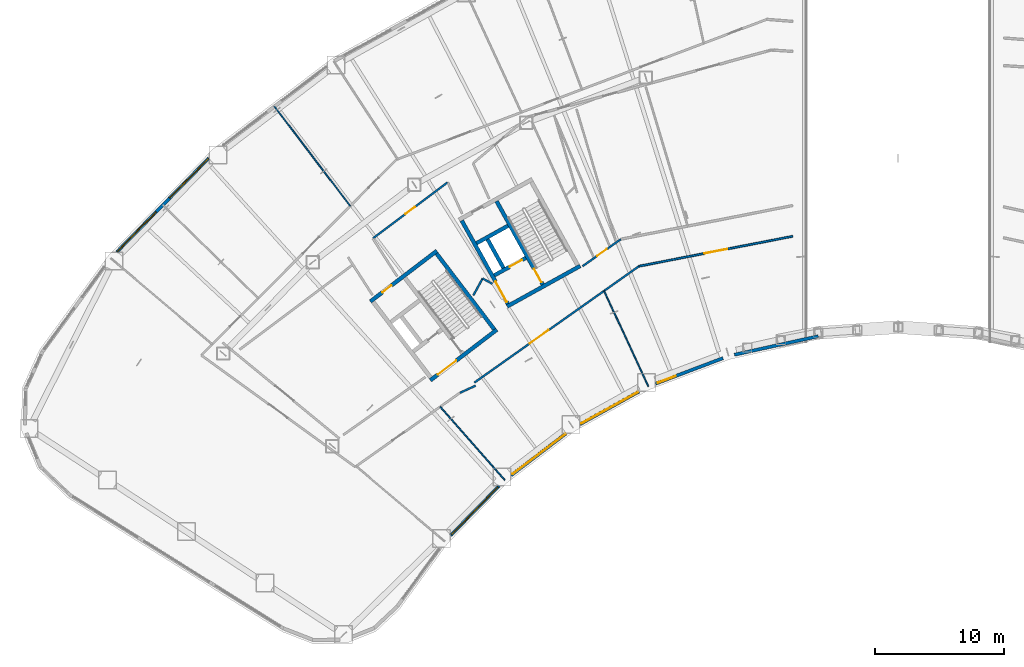
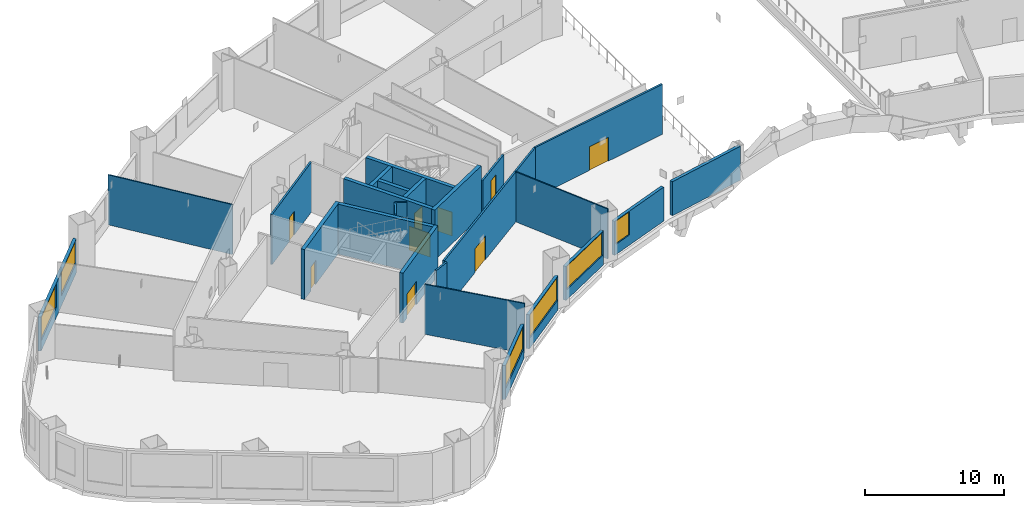
# One storey, part 7 of 24: 25 walls, 9 doors, 6 windows, 15 openings.
"""IFC4 building model written with IfcOpenShell, lengths in metres."""

from ifc_helpers import new_model, si_unit, direction, frame, frame_2d, origin, place, context, subcontext, project, spatial, rectangle, extrude, material, layer, layer_set, type_object, element, fill, save


model = new_model("IFC4")

# Units and contexts
model_context = context("Model", 3, precision=1e-05, world=origin(), true_north=direction((0.0, 1.0)))
body_context = subcontext(model_context, "Body", "Model", "MODEL_VIEW")
ifc_project = project(units=[si_unit("LENGTHUNIT", "METRE"), si_unit("AREAUNIT", "SQUARE_METRE"), si_unit("VOLUMEUNIT", "CUBIC_METRE"), si_unit("PLANEANGLEUNIT", "RADIAN"), si_unit("MASSUNIT", "GRAM", prefix="KILO")], contexts=[model_context])

# Site, building, storey
site_placement = place(None, origin())
site = spatial("IfcSite", under=ifc_project, at=site_placement, CompositionType="ELEMENT")
building_placement = place(site_placement, origin())
building = spatial("IfcBuilding", under=site, at=building_placement, Name="Tuul Gate Civic Tower", CompositionType="ELEMENT")
storey_placement = place(building_placement, frame((0.0, 0.0, 21.89990234375)))
storey = spatial("IfcBuildingStorey", under=building, at=storey_placement, Name="Level 04", CompositionType="ELEMENT", Elevation=21.89990234375)

# Wall, opening, door
ifc_material_1 = material(Name="Concrete C50/60", Category="concrete")
ifc_layer_1 = layer(ifc_material_1, 0.300048828125)
ifc_layer_set_1 = layer_set([ifc_layer_1], Name="Concrete C50/60")
wall_type_1 = type_object("IfcWallType", Name="Core wall C50/60", PredefinedType="SHEAR", material=ifc_layer_set_1)
wall_1_placement = place(storey_placement, frame((-31.19091796875, -13.669677734375, 0.0), z_axis=(0.0, 0.0, 1.0), x_axis=(-0.795606717756, -0.605813461934, 0.0)))
wall_1 = element("IfcWall", 1, at=wall_1_placement, inside=storey, type_object=wall_type_1, Name="Core wall", PredefinedType="SHEAR", context=body_context, shape_type="SweptSolid", body=[
    extrude(rectangle(XDim=6.5, YDim=0.300048828125, at=frame_2d((3.25, 0.0))), origin(), (0.0, 0.0, 1.0), 4.400146484375),
])
opening_1_placement = place(wall_1_placement, frame((3.97509765625, 0.0, 0.0)))
opening_1 = element("IfcOpeningElement", 2, at=opening_1_placement, cuts=wall_1, Name="Opening LB-W1-LOBBY-1", PredefinedType="OPENING", context=body_context, shape_type="SweptSolid", body=[
    extrude(rectangle(XDim=1.800048828125, YDim=2.10009765625, at=frame_2d((0.89990234375, 1.050048828125))), frame((0.0, 0.16015625, 0.0), z_axis=(0.0, -1.0, 0.0), x_axis=(1.0, 0.0, 0.0)), (0.0, 0.0, 1.0), 0.320068359375),
])
ifc_material_2 = material(Name="Steel", Category="steel")
door_type_1 = type_object("IfcDoorType", Name="Lobby door", OperationType="DOUBLE_DOOR_SINGLE_SWING", PredefinedType="DOOR", material=ifc_material_2)
door_1_placement = place(opening_1_placement, origin())
door_1 = element("IfcDoor", 3, at=door_1_placement, inside=storey, type_object=door_type_1, Name="Lobby door W1-LOBBY", OperationType="DOUBLE_DOOR_SINGLE_SWING", OverallHeight=2.10009765625, OverallWidth=1.800048828125, PredefinedType="DOOR", context=body_context, shape_type="SweptSolid", body=[
    extrude(rectangle(XDim=1.800048828125, YDim=2.10009765625, at=frame_2d((0.89990234375, 1.050048828125))), frame((0.0, 0.02490234375, 0.0), z_axis=(0.0, -1.0, 0.0), x_axis=(1.0, 0.0, 0.0)), (0.0, 0.0, 1.0), 0.050048828125),
])
fill(opening_1, door_1)

wall_2_placement = place(storey_placement, frame((-35.855224609375, -7.543212890625, 0.0), z_axis=(0.0, 0.0, 1.0), x_axis=(-0.79563860527, -0.605771582202, 0.0)))
wall_2 = element("IfcWall", 4, at=wall_2_placement, inside=storey, type_object=wall_type_1, Name="Core wall", PredefinedType="SHEAR", context=body_context, shape_type="SweptSolid", body=[
    extrude(rectangle(XDim=6.5, YDim=0.300048828125, at=frame_2d((3.25, 0.0))), origin(), (0.0, 0.0, 1.0), 4.400146484375),
])
opening_2_placement = place(wall_2_placement, frame((4.425048828125, 0.0, 0.0)))
opening_2 = element("IfcOpeningElement", 5, at=opening_2_placement, cuts=wall_2, Name="Opening QD-D36", PredefinedType="OPENING", context=body_context, shape_type="SweptSolid", body=[
    extrude(rectangle(XDim=0.89990234375, YDim=2.10009765625, at=frame_2d((0.449951171875, 1.050048828125))), frame((0.0, 0.16015625, 0.0), z_axis=(0.0, -1.0, 0.0), x_axis=(1.0, 0.0, 0.0)), (0.0, 0.0, 1.0), 0.320068359375),
])
ifc_material_3 = material(Name="Timber door leaf", Category="wood")
door_type_2 = type_object("IfcDoorType", Name="Door D09", OperationType="NOTDEFINED", PredefinedType="DOOR", material=ifc_material_3)
door_2_placement = place(opening_2_placement, origin())
door_2 = element("IfcDoor", 6, at=door_2_placement, inside=storey, type_object=door_type_2, Name="Door QD-D36", OperationType="SINGLE_SWING_LEFT", OverallHeight=2.10009765625, OverallWidth=0.89990234375, PredefinedType="DOOR", context=body_context, shape_type="SweptSolid", body=[
    extrude(rectangle(XDim=0.89990234375, YDim=2.10009765625, at=frame_2d((0.449951171875, 1.050048828125))), frame((0.0, 0.02490234375, 0.0), z_axis=(0.0, -1.0, 0.0), x_axis=(1.0, 0.0, 0.0)), (0.0, 0.0, 1.0), 0.050048828125),
])
fill(opening_2, door_2)

# Walls
wall_3_placement = place(storey_placement, frame((-31.401123046875, -13.64111328125, 0.0), z_axis=(0.0, 0.0, 1.0), x_axis=(-0.605769822278, 0.795639945213, 0.0)))
element("IfcWall", 7, at=wall_3_placement, inside=storey, type_object=wall_type_1, Name="Core wall", PredefinedType="SHEAR", context=body_context, shape_type="SweptSolid", body=[
    extrude(rectangle(XDim=7.39990234375, YDim=0.300048828125, at=frame_2d((3.699951171875, 0.0))), origin(), (0.0, 0.0, 1.0), 4.400146484375),
])
wall_4_placement = place(storey_placement, frame((-24.711669921875, -8.7158203125, 0.0), z_axis=(0.0, 0.0, 1.0), x_axis=(-0.874629909008, -0.484791215132, 0.0)))
element("IfcWall", 8, at=wall_4_placement, inside=storey, type_object=wall_type_1, Name="Core wall", PredefinedType="SHEAR", context=body_context, shape_type="SweptSolid", body=[
    extrude(rectangle(XDim=6.5, YDim=0.300048828125, at=frame_2d((3.25, 0.0))), origin(), (0.0, 0.0, 1.0), 4.400146484375),
])

# Wall, opening, door
wall_5_placement = place(storey_placement, frame((-28.94580078125, -8.090087890625, 0.0), z_axis=(0.0, 0.0, 1.0), x_axis=(-0.874629840737, -0.484791338301, 0.0)))
wall_5 = element("IfcWall", 9, at=wall_5_placement, inside=storey, type_object=wall_type_1, Name="Core wall", PredefinedType="SHEAR", context=body_context, shape_type="SweptSolid", body=[
    extrude(rectangle(XDim=2.800048828125, YDim=0.300048828125, at=frame_2d((1.39990234375, 0.0))), origin(), (0.0, 0.0, 1.0), 4.400146484375),
])
opening_3_placement = place(wall_5_placement, frame((0.324951171875, 0.0, 0.0)))
opening_3 = element("IfcOpeningElement", 10, at=opening_3_placement, cuts=wall_5, Name="Opening LD-FF-1", PredefinedType="OPENING", context=body_context, shape_type="SweptSolid", body=[
    extrude(rectangle(XDim=1.10009765625, YDim=2.10009765625, at=frame_2d((0.550048828125, 1.050048828125))), frame((0.0, 0.16015625, 0.0), z_axis=(0.0, -1.0, 0.0), x_axis=(1.0, 0.0, 0.0)), (0.0, 0.0, 1.0), 0.320068359375),
])
ifc_material_4 = material(Name="Stainless steel", Category="steel")
door_type_3 = type_object("IfcDoorType", Name="Landing door", OperationType="DOUBLE_DOOR_SLIDING", PredefinedType="DOOR", material=ifc_material_4)
door_3_placement = place(opening_3_placement, origin())
door_3 = element("IfcDoor", 11, at=door_3_placement, inside=storey, type_object=door_type_3, Name="Fire-fighting lift FF-1 landing door", OperationType="DOUBLE_DOOR_SLIDING", OverallHeight=2.10009765625, OverallWidth=1.10009765625, PredefinedType="DOOR", context=body_context, shape_type="SweptSolid", body=[
    extrude(rectangle(XDim=1.10009765625, YDim=2.10009765625, at=frame_2d((0.550048828125, 1.050048828125))), frame((0.0, 0.02490234375, 0.0), z_axis=(0.0, -1.0, 0.0), x_axis=(1.0, 0.0, 0.0)), (0.0, 0.0, 1.0), 0.050048828125),
])
fill(opening_3, door_3)

# Wall
wall_6_placement = place(storey_placement, frame((-30.327392578125, -5.59716796875, 0.0), z_axis=(0.0, 0.0, 1.0), x_axis=(-0.874629840737, -0.484791338301, 0.0)))
element("IfcWall", 12, at=wall_6_placement, inside=storey, type_object=wall_type_1, Name="Core wall", PredefinedType="SHEAR", context=body_context, shape_type="SweptSolid", body=[
    extrude(rectangle(XDim=2.800048828125, YDim=0.300048828125, at=frame_2d((1.39990234375, 0.0))), origin(), (0.0, 0.0, 1.0), 4.400146484375),
])

# Wall, opening, door
wall_7_placement = place(storey_placement, frame((-27.626953125, -10.16015625, 0.0), z_axis=(0.0, 0.0, 1.0), x_axis=(-0.484751894226, 0.874651702704, 0.0)))
wall_7 = element("IfcWall", 13, at=wall_7_placement, inside=storey, type_object=wall_type_1, Name="Core wall", PredefinedType="SHEAR", context=body_context, shape_type="SweptSolid", body=[
    extrude(rectangle(XDim=7.39990234375, YDim=0.300048828125, at=frame_2d((3.699951171875, 0.0))), origin(), (0.0, 0.0, 1.0), 4.400146484375),
])
opening_4_placement = place(wall_7_placement, frame((0.199951171875, 0.0, 0.0)))
opening_4 = element("IfcOpeningElement", 14, at=opening_4_placement, cuts=wall_7, Name="Opening SD-ST-2", PredefinedType="OPENING", context=body_context, shape_type="SweptSolid", body=[
    extrude(rectangle(XDim=1.199951171875, YDim=2.10009765625, at=frame_2d((0.60009765625, 1.050048828125))), frame((0.0, 0.16015625, 0.0), z_axis=(0.0, -1.0, 0.0), x_axis=(1.0, 0.0, 0.0)), (0.0, 0.0, 1.0), 0.320068359375),
])
ifc_material_5 = material(Name="Steel", Category="steel")
door_type_4 = type_object("IfcDoorType", Name="Stair door", OperationType="NOTDEFINED", PredefinedType="DOOR", material=ifc_material_5)
door_4_placement = place(opening_4_placement, origin())
door_4 = element("IfcDoor", 15, at=door_4_placement, inside=storey, type_object=door_type_4, Name="Stair door ST-2", OperationType="SINGLE_SWING_LEFT", OverallHeight=2.10009765625, OverallWidth=1.199951171875, PredefinedType="DOOR", context=body_context, shape_type="SweptSolid", body=[
    extrude(rectangle(XDim=1.199951171875, YDim=2.10009765625, at=frame_2d((0.60009765625, 1.050048828125))), frame((0.0, 0.02490234375, 0.0), z_axis=(0.0, -1.0, 0.0), x_axis=(1.0, 0.0, 0.0)), (0.0, 0.0, 1.0), 0.050048828125),
])
fill(opening_4, door_4)

# Wall
wall_8_placement = place(storey_placement, frame((-30.680419921875, -8.8798828125, 0.0), z_axis=(0.0, 0.0, 1.0), x_axis=(-0.484724115216, 0.874667097888, 0.0)))
element("IfcWall", 16, at=wall_8_placement, inside=storey, type_object=wall_type_1, Name="Core wall", PredefinedType="SHEAR", context=body_context, shape_type="SweptSolid", body=[
    extrude(rectangle(XDim=2.550048828125, YDim=0.300048828125, at=frame_2d((1.27490234375, 0.0))), origin(), (0.0, 0.0, 1.0), 4.400146484375),
])

# Wall, opening, door
wall_9_placement = place(storey_placement, frame((-30.33837890625, -11.6630859375, 0.0), z_axis=(0.0, 0.0, 1.0), x_axis=(-0.484751894226, 0.874651702704, 0.0)))
wall_9 = element("IfcWall", 17, at=wall_9_placement, inside=storey, type_object=wall_type_1, Name="Core wall", PredefinedType="SHEAR", context=body_context, shape_type="SweptSolid", body=[
    extrude(rectangle(XDim=7.39990234375, YDim=0.300048828125, at=frame_2d((3.699951171875, 0.0))), origin(), (0.0, 0.0, 1.0), 4.400146484375),
])
opening_5_placement = place(wall_9_placement, frame((0.175048828125, 0.0, 0.0)))
opening_5 = element("IfcOpeningElement", 18, at=opening_5_placement, cuts=wall_9, Name="Opening LB-W2-FLOBBY-1", PredefinedType="OPENING", context=body_context, shape_type="SweptSolid", body=[
    extrude(rectangle(XDim=1.800048828125, YDim=2.10009765625, at=frame_2d((0.89990234375, 1.050048828125))), frame((0.0, 0.16015625, 0.0), z_axis=(0.0, -1.0, 0.0), x_axis=(1.0, 0.0, 0.0)), (0.0, 0.0, 1.0), 0.320068359375),
])
door_5_placement = place(opening_5_placement, frame((1.800048828125, 0.0, 0.0), z_axis=(0.0, 0.0, 1.0), x_axis=(-1.0, 0.0, 0.0)))
door_5 = element("IfcDoor", 19, at=door_5_placement, inside=storey, type_object=door_type_1, Name="Lobby door W2-FLOBBY", OperationType="DOUBLE_DOOR_SINGLE_SWING", OverallHeight=2.10009765625, OverallWidth=1.800048828125, PredefinedType="DOOR", context=body_context, shape_type="SweptSolid", body=[
    extrude(rectangle(XDim=1.800048828125, YDim=2.10009765625, at=frame_2d((0.900146484375, 1.050048828125))), frame((0.0, 0.02490234375, 0.0), z_axis=(0.0, -1.0, 0.0), x_axis=(1.0, 0.0, 0.0)), (0.0, 0.0, 1.0), 0.050048828125),
])
fill(opening_5, door_5)

ifc_material_6 = material(Name="Gypsum board partition")
ifc_layer_2 = layer(ifc_material_6, 0.14990234375)
ifc_layer_set_2 = layer_set([ifc_layer_2], Name="Gypsum board partition")
wall_type_2 = type_object("IfcWallType", Name="Corridor wall P150", PredefinedType="PARTITIONING", material=ifc_layer_set_2)
wall_10_placement = place(storey_placement, frame((-32.945556640625, -17.7880859375, 0.0), z_axis=(0.0, 0.0, 1.0), x_axis=(0.816468317597, 0.5773902375, 0.0)))
wall_10 = element("IfcWall", 20, at=wall_10_placement, inside=storey, type_object=wall_type_2, Name="p029", PredefinedType="PARTITIONING", context=body_context, shape_type="SweptSolid", body=[
    extrude(rectangle(XDim=15.6669921875, YDim=0.14990234375, at=frame_2d((7.83349609375, 0.0))), origin(), (0.0, 0.0, 1.0), 4.400146484375),
])
opening_6_placement = place(wall_10_placement, frame((5.2763671875, 0.0, 0.0)))
opening_6 = element("IfcOpeningElement", 21, at=opening_6_placement, cuts=wall_10, Name="Opening QD-D19", PredefinedType="OPENING", context=body_context, shape_type="SweptSolid", body=[
    extrude(rectangle(XDim=1.800048828125, YDim=2.10009765625, at=frame_2d((0.89990234375, 1.050048828125))), frame((0.0, 0.0849609375, 0.0), z_axis=(0.0, -1.0, 0.0), x_axis=(1.0, 0.0, 0.0)), (0.0, 0.0, 1.0), 0.169921875),
])
ifc_material_7 = material(Name="Timber door leaf, double", Category="wood")
door_type_5 = type_object("IfcDoorType", Name="Door D18", OperationType="DOUBLE_DOOR_SINGLE_SWING", PredefinedType="DOOR", material=ifc_material_7)
door_6_placement = place(opening_6_placement, frame((1.800048828125, 0.0, 0.0), z_axis=(0.0, 0.0, 1.0), x_axis=(-1.0, 0.0, 0.0)))
door_6 = element("IfcDoor", 22, at=door_6_placement, inside=storey, type_object=door_type_5, Name="Door QD-D19", OperationType="DOUBLE_DOOR_SINGLE_SWING", OverallHeight=2.10009765625, OverallWidth=1.800048828125, PredefinedType="DOOR", context=body_context, shape_type="SweptSolid", body=[
    extrude(rectangle(XDim=1.800048828125, YDim=2.10009765625, at=frame_2d((0.900146484375, 1.050048828125))), frame((0.0, 0.02490234375, 0.0), z_axis=(0.0, -1.0, 0.0), x_axis=(1.0, 0.0, 0.0)), (0.0, 0.0, 1.0), 0.050048828125),
])
fill(opening_6, door_6)

wall_11_placement = place(storey_placement, frame((-20.1474609375, -8.73828125, 0.0), z_axis=(0.0, 0.0, 1.0), x_axis=(0.981557199544, 0.191168679503, 0.0)))
wall_11 = element("IfcWall", 23, at=wall_11_placement, inside=storey, type_object=wall_type_2, Name="p035", PredefinedType="PARTITIONING", context=body_context, shape_type="SweptSolid", body=[
    extrude(rectangle(XDim=12.171875, YDim=0.14990234375, at=frame_2d((6.0859375, 0.0))), origin(), (0.0, 0.0, 1.0), 4.400146484375),
])
opening_7_placement = place(wall_11_placement, frame((5.18603515625, 0.0, 0.0)))
opening_7 = element("IfcOpeningElement", 24, at=opening_7_placement, cuts=wall_11, Name="Opening QD-D18", PredefinedType="OPENING", context=body_context, shape_type="SweptSolid", body=[
    extrude(rectangle(XDim=1.800048828125, YDim=2.10009765625, at=frame_2d((0.89990234375, 1.050048828125))), frame((0.0, 0.0849609375, 0.0), z_axis=(0.0, -1.0, 0.0), x_axis=(1.0, 0.0, 0.0)), (0.0, 0.0, 1.0), 0.169921875),
])
door_7_placement = place(opening_7_placement, frame((1.800048828125, 0.0, 0.0), z_axis=(0.0, 0.0, 1.0), x_axis=(-1.0, 0.0, 0.0)))
door_7 = element("IfcDoor", 25, at=door_7_placement, inside=storey, type_object=door_type_5, Name="Door QD-D18", OperationType="DOUBLE_DOOR_SINGLE_SWING", OverallHeight=2.10009765625, OverallWidth=1.800048828125, PredefinedType="DOOR", context=body_context, shape_type="SweptSolid", body=[
    extrude(rectangle(XDim=1.800048828125, YDim=2.10009765625, at=frame_2d((0.900146484375, 1.050048828125))), frame((0.0, 0.02490234375, 0.0), z_axis=(0.0, -1.0, 0.0), x_axis=(1.0, 0.0, 0.0)), (0.0, 0.0, 1.0), 0.050048828125),
])
fill(opening_7, door_7)

# Wall
wall_12_placement = place(storey_placement, frame((-34.0703125, -18.583251953125, 0.0), z_axis=(0.0, 0.0, 1.0), x_axis=(0.909476448179, 0.415755445193, 0.0)))
element("IfcWall", 26, at=wall_12_placement, inside=storey, type_object=wall_type_2, Name="p037", PredefinedType="PARTITIONING", context=body_context, shape_type="SweptSolid", body=[
    extrude(rectangle(XDim=1.337158203125, YDim=0.14990234375, at=frame_2d((0.66845703125, 0.0))), origin(), (0.0, 0.0, 1.0), 4.400146484375),
])

# Wall, opening, door
wall_13_placement = place(storey_placement, frame((-40.8251953125, -6.56982421875, 0.0), z_axis=(0.0, 0.0, 1.0), x_axis=(0.800101152006, 0.599865106968, 0.0)))
wall_13 = element("IfcWall", 27, at=wall_13_placement, inside=storey, type_object=wall_type_2, Name="p075", PredefinedType="PARTITIONING", context=body_context, shape_type="SweptSolid", body=[
    extrude(rectangle(XDim=7.239990234375, YDim=0.14990234375, at=frame_2d((3.6201171875, 0.0))), origin(), (0.0, 0.0, 1.0), 4.400146484375),
])
opening_8_placement = place(wall_13_placement, frame((3.169921875, 0.0, 0.0)))
opening_8 = element("IfcOpeningElement", 28, at=opening_8_placement, cuts=wall_13, Name="Opening QD-D32", PredefinedType="OPENING", context=body_context, shape_type="SweptSolid", body=[
    extrude(rectangle(XDim=0.89990234375, YDim=2.10009765625, at=frame_2d((0.449951171875, 1.050048828125))), frame((0.0, 0.0849609375, 0.0), z_axis=(0.0, -1.0, 0.0), x_axis=(1.0, 0.0, 0.0)), (0.0, 0.0, 1.0), 0.169921875),
])
door_8_placement = place(opening_8_placement, frame((0.89990234375, 0.0, 0.0), z_axis=(0.0, 0.0, 1.0), x_axis=(-1.0, 0.0, 0.0)))
door_8 = element("IfcDoor", 29, at=door_8_placement, inside=storey, type_object=door_type_2, Name="Door QD-D32", OperationType="SINGLE_SWING_LEFT", OverallHeight=2.10009765625, OverallWidth=0.89990234375, PredefinedType="DOOR", context=body_context, shape_type="SweptSolid", body=[
    extrude(rectangle(XDim=0.89990234375, YDim=2.10009765625, at=frame_2d((0.449951171875, 1.050048828125))), frame((0.0, 0.02490234375, 0.0), z_axis=(0.0, -1.0, 0.0), x_axis=(1.0, 0.0, 0.0)), (0.0, 0.0, 1.0), 0.050048828125),
])
fill(opening_8, door_8)

# Walls
wall_14_placement = place(storey_placement, frame((-32.302001953125, -9.69140625, 0.0), z_axis=(0.0, 0.0, 1.0), x_axis=(0.877235269307, -0.480060706873, 0.0)))
element("IfcWall", 30, at=wall_14_placement, inside=storey, type_object=wall_type_2, Name="p079", PredefinedType="PARTITIONING", context=body_context, shape_type="SweptSolid", body=[
    extrude(rectangle(XDim=0.863037109375, YDim=0.14990234375, at=frame_2d((0.431640625, 0.0))), origin(), (0.0, 0.0, 1.0), 4.400146484375),
])
wall_15_placement = place(storey_placement, frame((-33.025146484375, -11.011474609375, 0.0), z_axis=(0.0, 0.0, 1.0), x_axis=(0.480011415389, 0.877262241919, 0.0)))
element("IfcWall", 31, at=wall_15_placement, inside=storey, type_object=wall_type_2, Name="p080", PredefinedType="PARTITIONING", context=body_context, shape_type="SweptSolid", body=[
    extrude(rectangle(XDim=1.50439453125, YDim=0.14990234375, at=frame_2d((0.752197265625, 0.0))), origin(), (0.0, 0.0, 1.0), 4.400146484375),
])

# Wall, opening, door
ifc_material_8 = material(Name="Gypsum board partition")
ifc_layer_3 = layer(ifc_material_8, 0.14990234375)
ifc_layer_set_3 = layer_set([ifc_layer_3], Name="Gypsum board partition")
wall_type_3 = type_object("IfcWallType", Name="Corridor wall P150 3000 HIGH", PredefinedType="PARTITIONING", material=ifc_layer_set_3)
wall_16_placement = place(storey_placement, frame((-24.52880859375, -8.734619140625, 0.0), z_axis=(0.0, 0.0, 1.0), x_axis=(0.817328662758, 0.576171725299, 0.0)))
wall_16 = element("IfcWall", 32, at=wall_16_placement, inside=storey, type_object=wall_type_3, Name="p068", PredefinedType="PARTITIONING", context=body_context, shape_type="SweptSolid", body=[
    extrude(rectangle(XDim=3.636474609375, YDim=0.14990234375, at=frame_2d((1.818359375, 0.0))), origin(), (0.0, 0.0, 1.0), 3.0),
])
opening_9_placement = place(wall_16_placement, frame((1.393310546875, 0.0, 0.0)))
opening_9 = element("IfcOpeningElement", 33, at=opening_9_placement, cuts=wall_16, Name="Opening QD-D35", PredefinedType="OPENING", context=body_context, shape_type="SweptSolid", body=[
    extrude(rectangle(XDim=0.89990234375, YDim=2.10009765625, at=frame_2d((0.449951171875, 1.050048828125))), frame((0.0, 0.0849609375, 0.0), z_axis=(0.0, -1.0, 0.0), x_axis=(1.0, 0.0, 0.0)), (0.0, 0.0, 1.0), 0.169921875),
])
door_9_placement = place(opening_9_placement, origin())
door_9 = element("IfcDoor", 34, at=door_9_placement, inside=storey, type_object=door_type_2, Name="Door QD-D35", OperationType="SINGLE_SWING_LEFT", OverallHeight=2.10009765625, OverallWidth=0.89990234375, PredefinedType="DOOR", context=body_context, shape_type="SweptSolid", body=[
    extrude(rectangle(XDim=0.89990234375, YDim=2.10009765625, at=frame_2d((0.449951171875, 1.050048828125))), frame((0.0, 0.02490234375, 0.0), z_axis=(0.0, -1.0, 0.0), x_axis=(1.0, 0.0, 0.0)), (0.0, 0.0, 1.0), 0.050048828125),
])
fill(opening_9, door_9)

# Wall, openings, windows
ifc_material_9 = material(Name="Precast concrete C40/50", Category="concrete")
ifc_layer_4 = layer(ifc_material_9, 0.25)
ifc_layer_set_4 = layer_set([ifc_layer_4], Name="Precast concrete C40/50")
wall_type_4 = type_object("IfcWallType", Name="External wall 3000 HIGH", PredefinedType="STANDARD", material=ifc_layer_set_4)
wall_17_placement = place(storey_placement, frame((-53.577880859375, -0.33154296875, 0.0), z_axis=(0.0, 0.0, 1.0), x_axis=(-0.700010487511, -0.714132562886, 0.0)))
wall_17 = element("IfcWall", 35, at=wall_17_placement, inside=storey, type_object=wall_type_4, Name="External wall", PredefinedType="STANDARD", context=body_context, shape_type="SweptSolid", body=[
    extrude(rectangle(XDim=10.217041015625, YDim=0.25, at=frame_2d((5.1083984375, 0.0))), origin(), (0.0, 0.0, 1.0), 3.0),
])
opening_10_placement = place(wall_17_placement, frame((0.052001953125, 0.0, 0.89990234375)))
opening_10 = element("IfcOpeningElement", 36, at=opening_10_placement, cuts=wall_17, Name="Opening W90", PredefinedType="OPENING", context=body_context, shape_type="SweptSolid", body=[
    extrude(rectangle(XDim=4.300048828125, YDim=2.050048828125, at=frame_2d((2.14990234375, 1.02490234375))), frame((0.0, 0.135009765625, 0.0), z_axis=(0.0, -1.0, 0.0), x_axis=(1.0, 0.0, 0.0)), (0.0, 0.0, 1.0), 0.27001953125),
])
opening_11_placement = place(wall_17_placement, frame((5.85791015625, 0.0, 0.89990234375)))
opening_11 = element("IfcOpeningElement", 37, at=opening_11_placement, cuts=wall_17, Name="Opening W90", PredefinedType="OPENING", context=body_context, shape_type="SweptSolid", body=[
    extrude(rectangle(XDim=4.300048828125, YDim=2.050048828125, at=frame_2d((2.14990234375, 1.02490234375))), frame((0.0, 0.135009765625, 0.0), z_axis=(0.0, -1.0, 0.0), x_axis=(1.0, 0.0, 0.0)), (0.0, 0.0, 1.0), 0.27001953125),
])
ifc_material_10 = material(Name="Glass", Category="glass")
window_type_1 = type_object("IfcWindowType", Name="Window W90 4300 x 2050", PartitioningType="SINGLE_PANEL", PredefinedType="WINDOW", material=ifc_material_10)
window_1_placement = place(opening_10_placement, origin())
window_1 = element("IfcWindow", 38, at=window_1_placement, inside=storey, type_object=window_type_1, Name="Window", OverallHeight=2.050048828125, OverallWidth=4.300048828125, PartitioningType="SINGLE_PANEL", PredefinedType="WINDOW", context=body_context, shape_type="SweptSolid", body=[
    extrude(rectangle(XDim=4.300048828125, YDim=2.050048828125, at=frame_2d((2.14990234375, 1.02490234375))), frame((0.0, 0.030029296875, 0.0), z_axis=(0.0, -1.0, 0.0), x_axis=(1.0, 0.0, 0.0)), (0.0, 0.0, 1.0), 0.06005859375),
])
fill(opening_10, window_1)
window_2_placement = place(opening_11_placement, origin())
window_2 = element("IfcWindow", 39, at=window_2_placement, inside=storey, type_object=window_type_1, Name="Window", OverallHeight=2.050048828125, OverallWidth=4.300048828125, PartitioningType="SINGLE_PANEL", PredefinedType="WINDOW", context=body_context, shape_type="SweptSolid", body=[
    extrude(rectangle(XDim=4.300048828125, YDim=2.050048828125, at=frame_2d((2.14990234375, 1.02490234375))), frame((0.0, 0.030029296875, 0.0), z_axis=(0.0, -1.0, 0.0), x_axis=(1.0, 0.0, 0.0)), (0.0, 0.0, 1.0), 0.06005859375),
])
fill(opening_11, window_2)

# Wall, opening, window
wall_18_placement = place(storey_placement, frame((-34.7919921875, -29.665283203125, 0.0), z_axis=(0.0, 0.0, 1.0), x_axis=(0.700007573651, 0.714135419112, 0.0)))
wall_18 = element("IfcWall", 40, at=wall_18_placement, inside=storey, type_object=wall_type_4, Name="External wall", PredefinedType="STANDARD", context=body_context, shape_type="SweptSolid", body=[
    extrude(rectangle(XDim=5.3916015625, YDim=0.25, at=frame_2d((2.69580078125, 0.0))), origin(), (0.0, 0.0, 1.0), 3.0),
])
opening_12_placement = place(wall_18_placement, frame((0.116943359375, 0.0, 0.89990234375)))
opening_12 = element("IfcOpeningElement", 41, at=opening_12_placement, cuts=wall_18, Name="Opening W96", PredefinedType="OPENING", context=body_context, shape_type="SweptSolid", body=[
    extrude(rectangle(XDim=5.14990234375, YDim=2.050048828125, at=frame_2d((2.574951171875, 1.02490234375))), frame((0.0, 0.135009765625, 0.0), z_axis=(0.0, -1.0, 0.0), x_axis=(1.0, 0.0, 0.0)), (0.0, 0.0, 1.0), 0.27001953125),
])
ifc_material_11 = material(Name="Glass", Category="glass")
window_type_2 = type_object("IfcWindowType", Name="Window W96 5150 x 2050", PartitioningType="SINGLE_PANEL", PredefinedType="WINDOW", material=ifc_material_11)
window_3_placement = place(opening_12_placement, origin())
window_3 = element("IfcWindow", 42, at=window_3_placement, inside=storey, type_object=window_type_2, Name="Window", OverallHeight=2.050048828125, OverallWidth=5.14990234375, PartitioningType="SINGLE_PANEL", PredefinedType="WINDOW", context=body_context, shape_type="SweptSolid", body=[
    extrude(rectangle(XDim=5.14990234375, YDim=2.050048828125, at=frame_2d((2.574951171875, 1.02490234375))), frame((0.0, 0.030029296875, 0.0), z_axis=(0.0, -1.0, 0.0), x_axis=(1.0, 0.0, 0.0)), (0.0, 0.0, 1.0), 0.06005859375),
])
fill(opening_12, window_3)

wall_19_placement = place(storey_placement, frame((-30.0859375, -24.98974609375, 0.0), z_axis=(0.0, 0.0, 1.0), x_axis=(0.795633484335, 0.605778308134, 0.0)))
wall_19 = element("IfcWall", 43, at=wall_19_placement, inside=storey, type_object=wall_type_4, Name="External wall", PredefinedType="STANDARD", context=body_context, shape_type="SweptSolid", body=[
    extrude(rectangle(XDim=5.35986328125, YDim=0.25, at=frame_2d((2.679931640625, 0.0))), origin(), (0.0, 0.0, 1.0), 3.0),
])
opening_13_placement = place(wall_19_placement, frame((0.153076171875, 0.0, 0.89990234375)))
opening_13 = element("IfcOpeningElement", 44, at=opening_13_placement, cuts=wall_19, Name="Opening W96", PredefinedType="OPENING", context=body_context, shape_type="SweptSolid", body=[
    extrude(rectangle(XDim=5.14990234375, YDim=2.050048828125, at=frame_2d((2.574951171875, 1.02490234375))), frame((0.0, 0.135009765625, 0.0), z_axis=(0.0, -1.0, 0.0), x_axis=(1.0, 0.0, 0.0)), (0.0, 0.0, 1.0), 0.27001953125),
])
window_4_placement = place(opening_13_placement, origin())
window_4 = element("IfcWindow", 45, at=window_4_placement, inside=storey, type_object=window_type_2, Name="Window", OverallHeight=2.050048828125, OverallWidth=5.14990234375, PartitioningType="SINGLE_PANEL", PredefinedType="WINDOW", context=body_context, shape_type="SweptSolid", body=[
    extrude(rectangle(XDim=5.14990234375, YDim=2.050048828125, at=frame_2d((2.574951171875, 1.02490234375))), frame((0.0, 0.030029296875, 0.0), z_axis=(0.0, -1.0, 0.0), x_axis=(1.0, 0.0, 0.0)), (0.0, 0.0, 1.0), 0.06005859375),
])
fill(opening_13, window_4)

wall_20_placement = place(storey_placement, frame((-24.738037109375, -21.026123046875, 0.0), z_axis=(0.0, 0.0, 1.0), x_axis=(0.874655082175, 0.4847457965, 0.0)))
wall_20 = element("IfcWall", 46, at=wall_20_placement, inside=storey, type_object=wall_type_4, Name="External wall", PredefinedType="STANDARD", context=body_context, shape_type="SweptSolid", body=[
    extrude(rectangle(XDim=5.24658203125, YDim=0.25, at=frame_2d((2.623291015625, 0.0))), origin(), (0.0, 0.0, 1.0), 3.0),
])
opening_14_placement = place(wall_20_placement, frame((0.10400390625, 0.0, 0.89990234375)))
opening_14 = element("IfcOpeningElement", 47, at=opening_14_placement, cuts=wall_20, Name="Opening W97", PredefinedType="OPENING", context=body_context, shape_type="SweptSolid", body=[
    extrude(rectangle(XDim=5.050048828125, YDim=2.050048828125, at=frame_2d((2.52490234375, 1.02490234375))), frame((0.0, 0.135009765625, 0.0), z_axis=(0.0, -1.0, 0.0), x_axis=(1.0, 0.0, 0.0)), (0.0, 0.0, 1.0), 0.27001953125),
])
ifc_material_12 = material(Name="Glass", Category="glass")
window_type_3 = type_object("IfcWindowType", Name="Window W97 5050 x 2050", PartitioningType="SINGLE_PANEL", PredefinedType="WINDOW", material=ifc_material_12)
window_5_placement = place(opening_14_placement, origin())
window_5 = element("IfcWindow", 48, at=window_5_placement, inside=storey, type_object=window_type_3, Name="Window", OverallHeight=2.050048828125, OverallWidth=5.050048828125, PartitioningType="SINGLE_PANEL", PredefinedType="WINDOW", context=body_context, shape_type="SweptSolid", body=[
    extrude(rectangle(XDim=5.050048828125, YDim=2.050048828125, at=frame_2d((2.52490234375, 1.02490234375))), frame((0.0, 0.030029296875, 0.0), z_axis=(0.0, -1.0, 0.0), x_axis=(1.0, 0.0, 0.0)), (0.0, 0.0, 1.0), 0.06005859375),
])
fill(opening_14, window_5)

wall_21_placement = place(storey_placement, frame((-18.85791015625, -17.866455078125, 0.0), z_axis=(0.0, 0.0, 1.0), x_axis=(0.935352917822, 0.353715873439, 0.0)))
wall_21 = element("IfcWall", 49, at=wall_21_placement, inside=storey, type_object=wall_type_4, Name="External wall", PredefinedType="STANDARD", context=body_context, shape_type="SweptSolid", body=[
    extrude(rectangle(XDim=5.60107421875, YDim=0.25, at=frame_2d((2.800537109375, 0.0))), origin(), (0.0, 0.0, 1.0), 3.0),
])
opening_15_placement = place(wall_21_placement, frame((0.180908203125, 0.0, 0.89990234375)))
opening_15 = element("IfcOpeningElement", 50, at=opening_15_placement, cuts=wall_21, Name="Opening W98", PredefinedType="OPENING", context=body_context, shape_type="SweptSolid", body=[
    extrude(rectangle(XDim=1.5, YDim=2.050048828125, at=frame_2d((0.75, 1.02490234375))), frame((0.0, 0.135009765625, 0.0), z_axis=(0.0, -1.0, 0.0), x_axis=(1.0, 0.0, 0.0)), (0.0, 0.0, 1.0), 0.27001953125),
])
ifc_material_13 = material(Name="Glass", Category="glass")
window_type_4 = type_object("IfcWindowType", Name="Window W98 1500 x 2050", PartitioningType="SINGLE_PANEL", PredefinedType="WINDOW", material=ifc_material_13)
window_6_placement = place(opening_15_placement, origin())
window_6 = element("IfcWindow", 51, at=window_6_placement, inside=storey, type_object=window_type_4, Name="Window", OverallHeight=2.050048828125, OverallWidth=1.5, PartitioningType="SINGLE_PANEL", PredefinedType="WINDOW", context=body_context, shape_type="SweptSolid", body=[
    extrude(rectangle(XDim=1.5, YDim=2.050048828125, at=frame_2d((0.75, 1.02490234375))), frame((0.0, 0.030029296875, 0.0), z_axis=(0.0, -1.0, 0.0), x_axis=(1.0, 0.0, 0.0)), (0.0, 0.0, 1.0), 0.06005859375),
])
fill(opening_15, window_6)

# Walls
wall_22_placement = place(storey_placement, frame((-12.728515625, -15.619140625, 0.0), z_axis=(0.0, 0.0, 1.0), x_axis=(0.976557485529, 0.215256770992, 0.0)))
element("IfcWall", 52, at=wall_22_placement, inside=storey, type_object=wall_type_4, Name="External wall", PredefinedType="STANDARD", context=body_context, shape_type="SweptSolid", body=[
    extrude(rectangle(XDim=6.673583984375, YDim=0.25, at=frame_2d((3.3369140625, 0.0))), origin(), (0.0, 0.0, 1.0), 3.0),
])
ifc_material_14 = material(Name="Gypsum board partition")
ifc_layer_5 = layer(ifc_material_14, 0.10009765625)
ifc_layer_set_5 = layer_set([ifc_layer_5], Name="Gypsum board partition")
wall_type_5 = type_object("IfcWallType", Name="Partition P100", PredefinedType="PARTITIONING", material=ifc_layer_set_5)
wall_23_placement = place(storey_placement, frame((-22.860107421875, -10.655517578125, 0.0), z_axis=(0.0, 0.0, 1.0), x_axis=(0.420355030446, -0.907359712782, 0.0)))
element("IfcWall", 53, at=wall_23_placement, inside=storey, type_object=wall_type_5, Name="p020", PredefinedType="PARTITIONING", context=body_context, shape_type="SweptSolid", body=[
    extrude(rectangle(XDim=8.18701171875, YDim=0.10009765625, at=frame_2d((4.093505859375, 0.0))), origin(), (0.0, 0.0, 1.0), 4.400146484375),
])
wall_24_placement = place(storey_placement, frame((-48.484619140625, 3.677978515625, 0.0), z_axis=(0.0, 0.0, 1.0), x_axis=(0.605798774881, -0.795617900976, 0.0)))
element("IfcWall", 54, at=wall_24_placement, inside=storey, type_object=wall_type_5, Name="p022", PredefinedType="PARTITIONING", context=body_context, shape_type="SweptSolid", body=[
    extrude(rectangle(XDim=9.720947265625, YDim=0.10009765625, at=frame_2d((4.8603515625, 0.0))), origin(), (0.0, 0.0, 1.0), 4.400146484375),
])
wall_25_placement = place(storey_placement, frame((-35.597412109375, -19.663330078125, 0.0), z_axis=(0.0, 0.0, 1.0), x_axis=(0.6616843076, -0.749782553195, 0.0)))
element("IfcWall", 55, at=wall_25_placement, inside=storey, type_object=wall_type_5, Name="p036", PredefinedType="PARTITIONING", context=body_context, shape_type="SweptSolid", body=[
    extrude(rectangle(XDim=7.6015625, YDim=0.10009765625, at=frame_2d((3.80078125, 0.0))), origin(), (0.0, 0.0, 1.0), 4.400146484375),
])

save(model, "model.ifc")
